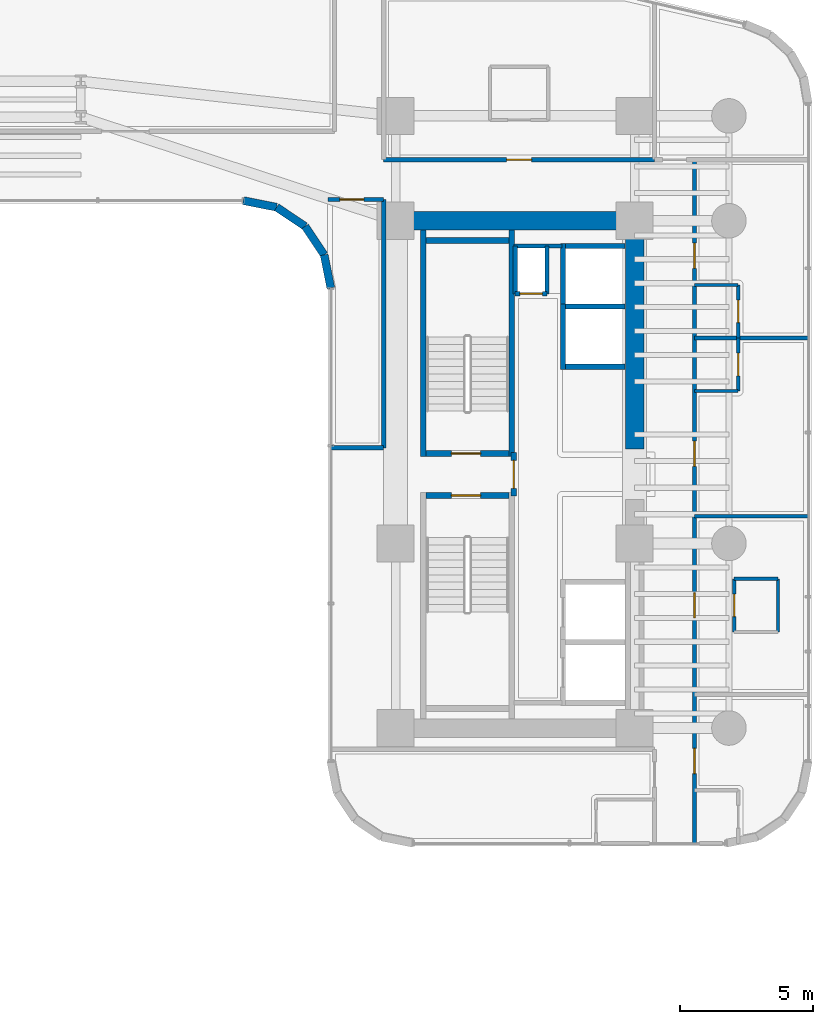
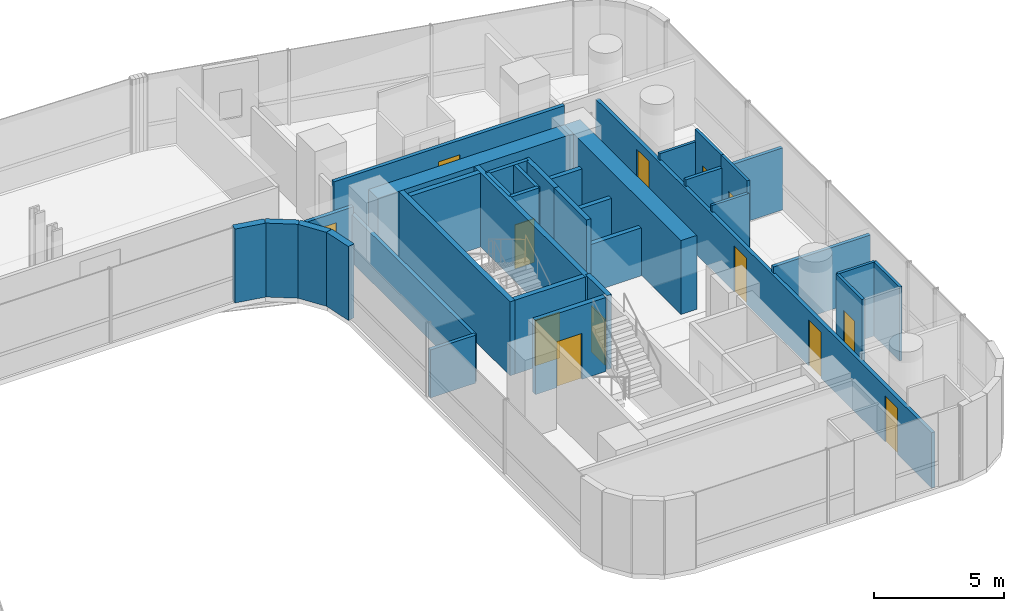
# One storey, part 33 of 41: 35 walls, 13 doors, 13 openings.
"""IFC4 building model written with IfcOpenShell, lengths in metres."""

from ifc_helpers import new_model, si_unit, direction, frame, frame_2d, origin, place, context, subcontext, project, spatial, rectangle, extrude, material, layer, layer_set, type_object, element, fill, save


model = new_model("IFC4")

# Units and contexts
model_context = context("Model", 3, precision=1e-05, world=origin(), true_north=direction((0.0, 1.0)))
body_context = subcontext(model_context, "Body", "Model", "MODEL_VIEW")
ifc_project = project(units=[si_unit("LENGTHUNIT", "METRE"), si_unit("AREAUNIT", "SQUARE_METRE"), si_unit("VOLUMEUNIT", "CUBIC_METRE"), si_unit("PLANEANGLEUNIT", "RADIAN"), si_unit("MASSUNIT", "GRAM", prefix="KILO")], contexts=[model_context])

# Site, building, storey
site_placement = place(None, origin())
site = spatial("IfcSite", under=ifc_project, at=site_placement, CompositionType="ELEMENT")
building_placement = place(site_placement, origin())
building = spatial("IfcBuilding", under=site, at=building_placement, Name="Valdorenza Pilgrim Sanctuary Tower", CompositionType="ELEMENT")
storey_placement = place(building_placement, frame((0.0, 0.0, 63.0)))
storey = spatial("IfcBuildingStorey", under=building, at=storey_placement, Name="L15", CompositionType="ELEMENT", Elevation=63.0)

# Wall, opening, door
ifc_material_1 = material(Name="Acoustic twin-stud gypsum partition", Category="gypsum")
ifc_layer_1 = layer(ifc_material_1, 0.159912109375, Name="Acoustic twin-stud gypsum partition")
ifc_layer_set_1 = layer_set([ifc_layer_1], Name="Acoustic twin-stud gypsum partition")
wall_type_1 = type_object("IfcWallType", Name="WAL-COR-160", PredefinedType="PARTITIONING", material=ifc_layer_set_1)
wall_1_placement = place(storey_placement, frame((20.35009765625, 6.800048828125, 0.0), z_axis=(0.0, 0.0, 1.0), x_axis=(1.0, 0.0, 0.0)))
wall_1 = element("IfcWall", 1, at=wall_1_placement, inside=storey, type_object=wall_type_1, Name="L15 Core B Riser South Wall", PredefinedType="PARTITIONING", context=body_context, shape_type="SweptSolid", body=[
    extrude(rectangle(XDim=1.199951171875, YDim=0.159912109375, at=frame_2d((0.60009765625, 0.0))), origin(), (0.0, 0.0, 1.0), 3.4599609375),
])
opening_1_placement = place(wall_1_placement, frame((0.175048828125, 0.0, 0.0)))
opening_1 = element("IfcOpeningElement", 2, at=opening_1_placement, cuts=wall_1, Name="Opening DR-RS1", PredefinedType="OPENING", context=body_context, shape_type="SweptSolid", body=[
    extrude(rectangle(XDim=0.85009765625, YDim=2.050048828125, at=frame_2d((0.425048828125, 1.02490234375))), frame((0.0, 0.0947265625, 0.0), z_axis=(0.0, -1.0, 0.0), x_axis=(1.0, 0.0, 0.0)), (0.0, 0.0, 1.0), 0.189697265625),
])
ifc_material_2 = material(Name="Painted galvanized steel", Category="steel")
door_type_1 = type_object("IfcDoorType", Name="DR-RSR-850", OperationType="NOTDEFINED", PredefinedType="DOOR", material=ifc_material_2)
door_1_placement = place(opening_1_placement, origin())
door_1 = element("IfcDoor", 3, at=door_1_placement, inside=storey, type_object=door_type_1, Name="L15 Core B Electrical Riser Door", OperationType="SINGLE_SWING_RIGHT", OverallHeight=2.050048828125, OverallWidth=0.85009765625, PredefinedType="DOOR", context=body_context, shape_type="SweptSolid", body=[
    extrude(rectangle(XDim=0.85009765625, YDim=2.050048828125, at=frame_2d((0.425048828125, 1.02490234375))), frame((0.0, 0.02490234375, 0.0), z_axis=(0.0, -1.0, 0.0), x_axis=(1.0, 0.0, 0.0)), (0.0, 0.0, 1.0), 0.050048828125),
])
fill(opening_1, door_1)

# Walls
for number, where, z_axis, x_axis, name in (
    (4, (21.550048828125, 6.800048828125, 0.0), (0.0, 0.0, 1.0), (0.0, 1.0, 0.0), "L15 Core B Riser East Wall"),
    (5, (20.35009765625, 6.800048828125, 0.0), (0.0, 0.0, 1.0), (0.0, 1.0, 0.0), "L15 Core B Riser West Wall"),
):
    element("IfcWall", number, at=place(storey_placement, frame(where, z_axis=z_axis, x_axis=x_axis)), inside=storey, type_object=wall_type_1, Name=name, PredefinedType="PARTITIONING", context=body_context, shape_type="SweptSolid", body=[
        extrude(rectangle(XDim=1.800048828125, YDim=0.159912109375, at=frame_2d((0.89990234375, 0.0))), origin(), (0.0, 0.0, 1.0), 3.4599609375),
    ])
wall_2_placement = place(storey_placement, frame((20.300048828125, 8.60009765625, 0.0), z_axis=(0.0, 0.0, 1.0), x_axis=(1.0, 0.0, 0.0)))
element("IfcWall", 6, at=wall_2_placement, inside=storey, type_object=wall_type_1, Name="L15 Core B Lift Hall North End Wall", PredefinedType="PARTITIONING", context=body_context, shape_type="SweptSolid", body=[
    extrude(rectangle(XDim=1.820068359375, YDim=0.159912109375, at=frame_2d((0.91015625, 0.0))), origin(), (0.0, 0.0, 1.0), 3.4599609375),
])

# Wall, opening, door
wall_3_placement = place(storey_placement, frame((15.39990234375, 11.85009765625, 0.0), z_axis=(0.0, 0.0, 1.0), x_axis=(1.0, 0.0, 0.0)))
wall_3 = element("IfcWall", 7, at=wall_3_placement, inside=storey, type_object=wall_type_1, Name="L15 Wing B North Corridor Wall", PredefinedType="PARTITIONING", context=body_context, shape_type="SweptSolid", body=[
    extrude(rectangle(XDim=10.2001953125, YDim=0.159912109375, at=frame_2d((5.10009765625, 0.0))), origin(), (0.0, 0.0, 1.0), 2.833984375),
])
opening_2_placement = place(wall_3_placement, frame((4.625, 0.0, 0.0)))
opening_2 = element("IfcOpeningElement", 8, at=opening_2_placement, cuts=wall_3, Name="Opening DR-UN1", PredefinedType="OPENING", context=body_context, shape_type="SweptSolid", body=[
    extrude(rectangle(XDim=0.949951171875, YDim=2.14990234375, at=frame_2d((0.47509765625, 1.074951171875))), frame((0.0, 0.0947265625, 0.0), z_axis=(0.0, -1.0, 0.0), x_axis=(1.0, 0.0, 0.0)), (0.0, 0.0, 1.0), 0.189697265625),
])
ifc_material_3 = material(Name="Solid-core European oak timber", Category="wood")
door_type_2 = type_object("IfcDoorType", Name="DR-UNIT-950", OperationType="NOTDEFINED", PredefinedType="DOOR", material=ifc_material_3)
door_2_placement = place(opening_2_placement, frame((0.949951171875, 0.0, 0.0), z_axis=(0.0, 0.0, 1.0), x_axis=(-1.0, 0.0, 0.0)))
door_2 = element("IfcDoor", 9, at=door_2_placement, inside=storey, type_object=door_type_2, Name="L15 East North Guest Room L15-EN1 Entrance Door", OperationType="SINGLE_SWING_LEFT", OverallHeight=2.14990234375, OverallWidth=0.949951171875, PredefinedType="DOOR", context=body_context, shape_type="SweptSolid", body=[
    extrude(rectangle(XDim=0.949951171875, YDim=2.14990234375, at=frame_2d((0.47509765625, 1.074951171875))), frame((0.0, 0.02490234375, 0.0), z_axis=(0.0, -1.0, 0.0), x_axis=(1.0, 0.0, 0.0)), (0.0, 0.0, 1.0), 0.050048828125),
])
fill(opening_2, door_2)

# Wall, openings, doors
wall_4_placement = place(storey_placement, frame((27.10009765625, -13.889892578125, 0.0), z_axis=(0.0, 0.0, 1.0), x_axis=(0.0, 1.0, 0.0)))
wall_4 = element("IfcWall", 10, at=wall_4_placement, inside=storey, type_object=wall_type_1, Name="L15 Wing B East Corridor Wall", PredefinedType="PARTITIONING", context=body_context, shape_type="SweptSolid", body=[
    extrude(rectangle(XDim=25.739990234375, YDim=0.159912109375, at=frame_2d((12.8701171875, 0.0))), origin(), (0.0, 0.0, 1.0), 2.5830078125),
])
opening_3_placement = place(wall_4_placement, frame((2.6201171875, 0.0, 0.0)))
opening_3 = element("IfcOpeningElement", 11, at=opening_3_placement, cuts=wall_4, Name="Opening DR-UN1", PredefinedType="OPENING", context=body_context, shape_type="SweptSolid", body=[
    extrude(rectangle(XDim=0.949951171875, YDim=2.14990234375, at=frame_2d((0.47509765625, 1.074951171875))), frame((0.0, 0.0947265625, 0.0), z_axis=(0.0, -1.0, 0.0), x_axis=(1.0, 0.0, 0.0)), (0.0, 0.0, 1.0), 0.189697265625),
])
opening_4_placement = place(wall_4_placement, frame((8.48388671875, 0.0, 0.0)))
opening_4 = element("IfcOpeningElement", 12, at=opening_4_placement, cuts=wall_4, Name="Opening DR-UN1", PredefinedType="OPENING", context=body_context, shape_type="SweptSolid", body=[
    extrude(rectangle(XDim=0.949951171875, YDim=2.14990234375, at=frame_2d((0.47509765625, 1.074951171875))), frame((0.0, 0.0947265625, 0.0), z_axis=(0.0, -1.0, 0.0), x_axis=(1.0, 0.0, 0.0)), (0.0, 0.0, 1.0), 0.189697265625),
])
opening_5_placement = place(wall_4_placement, frame((14.197021484375, 0.0, 0.0)))
opening_5 = element("IfcOpeningElement", 13, at=opening_5_placement, cuts=wall_4, Name="Opening DR-UN1", PredefinedType="OPENING", context=body_context, shape_type="SweptSolid", body=[
    extrude(rectangle(XDim=0.949951171875, YDim=2.14990234375, at=frame_2d((0.47509765625, 1.074951171875))), frame((0.0, 0.0947265625, 0.0), z_axis=(0.0, -1.0, 0.0), x_axis=(1.0, 0.0, 0.0)), (0.0, 0.0, 1.0), 0.189697265625),
])
opening_6_placement = place(wall_4_placement, frame((21.64794921875, 0.0, 0.0)))
opening_6 = element("IfcOpeningElement", 14, at=opening_6_placement, cuts=wall_4, Name="Opening DR-UN1", PredefinedType="OPENING", context=body_context, shape_type="SweptSolid", body=[
    extrude(rectangle(XDim=0.949951171875, YDim=2.14990234375, at=frame_2d((0.47509765625, 1.074951171875))), frame((0.0, 0.0947265625, 0.0), z_axis=(0.0, -1.0, 0.0), x_axis=(1.0, 0.0, 0.0)), (0.0, 0.0, 1.0), 0.189697265625),
])
door_3_placement = place(opening_3_placement, origin())
door_3 = element("IfcDoor", 15, at=door_3_placement, inside=storey, type_object=door_type_2, Name="L15 East Sanctuary Guest Room L15-EG1 Entrance Door", OperationType="SINGLE_SWING_RIGHT", OverallHeight=2.14990234375, OverallWidth=0.949951171875, PredefinedType="DOOR", context=body_context, shape_type="SweptSolid", body=[
    extrude(rectangle(XDim=0.949951171875, YDim=2.14990234375, at=frame_2d((0.47509765625, 1.074951171875))), frame((0.0, 0.02490234375, 0.0), z_axis=(0.0, -1.0, 0.0), x_axis=(1.0, 0.0, 0.0)), (0.0, 0.0, 1.0), 0.050048828125),
])
fill(opening_3, door_3)
door_4_placement = place(opening_4_placement, origin())
door_4 = element("IfcDoor", 16, at=door_4_placement, inside=storey, type_object=door_type_2, Name="L15 East Sanctuary Guest Room L15-EG2 Entrance Door", OperationType="SINGLE_SWING_RIGHT", OverallHeight=2.14990234375, OverallWidth=0.949951171875, PredefinedType="DOOR", context=body_context, shape_type="SweptSolid", body=[
    extrude(rectangle(XDim=0.949951171875, YDim=2.14990234375, at=frame_2d((0.47509765625, 1.074951171875))), frame((0.0, 0.02490234375, 0.0), z_axis=(0.0, -1.0, 0.0), x_axis=(1.0, 0.0, 0.0)), (0.0, 0.0, 1.0), 0.050048828125),
])
fill(opening_4, door_4)
door_5_placement = place(opening_5_placement, origin())
door_5 = element("IfcDoor", 17, at=door_5_placement, inside=storey, type_object=door_type_2, Name="L15 East Sanctuary Guest Room L15-EG3 Entrance Door", OperationType="SINGLE_SWING_RIGHT", OverallHeight=2.14990234375, OverallWidth=0.949951171875, PredefinedType="DOOR", context=body_context, shape_type="SweptSolid", body=[
    extrude(rectangle(XDim=0.949951171875, YDim=2.14990234375, at=frame_2d((0.47509765625, 1.074951171875))), frame((0.0, 0.02490234375, 0.0), z_axis=(0.0, -1.0, 0.0), x_axis=(1.0, 0.0, 0.0)), (0.0, 0.0, 1.0), 0.050048828125),
])
fill(opening_5, door_5)
door_6_placement = place(opening_6_placement, origin())
door_6 = element("IfcDoor", 18, at=door_6_placement, inside=storey, type_object=door_type_2, Name="L15 East Sanctuary Guest Room L15-EG4 Entrance Door", OperationType="SINGLE_SWING_RIGHT", OverallHeight=2.14990234375, OverallWidth=0.949951171875, PredefinedType="DOOR", context=body_context, shape_type="SweptSolid", body=[
    extrude(rectangle(XDim=0.949951171875, YDim=2.14990234375, at=frame_2d((0.47509765625, 1.074951171875))), frame((0.0, 0.02490234375, 0.0), z_axis=(0.0, -1.0, 0.0), x_axis=(1.0, 0.0, 0.0)), (0.0, 0.0, 1.0), 0.050048828125),
])
fill(opening_6, door_6)

# Wall, opening, door
wall_5_placement = place(storey_placement, frame((13.300048828125, 10.35009765625, 0.0), z_axis=(0.0, 0.0, 1.0), x_axis=(1.0, 0.0, 0.0)))
wall_5 = element("IfcWall", 19, at=wall_5_placement, inside=storey, type_object=wall_type_1, Name="L15 Courtyard Overlook North Wall", PredefinedType="PARTITIONING", context=body_context, shape_type="SweptSolid", body=[
    extrude(rectangle(XDim=2.099853515625, YDim=0.159912109375, at=frame_2d((1.0498046875, 0.0))), origin(), (0.0, 0.0, 1.0), 2.5830078125),
])
opening_7_placement = place(wall_5_placement, frame((0.449951171875, 0.0, 0.0)))
opening_7 = element("IfcOpeningElement", 20, at=opening_7_placement, cuts=wall_5, Name="Opening DR-RM1", PredefinedType="OPENING", context=body_context, shape_type="SweptSolid", body=[
    extrude(rectangle(XDim=0.89990234375, YDim=2.10009765625, at=frame_2d((0.449951171875, 1.050048828125))), frame((0.0, 0.0947265625, 0.0), z_axis=(0.0, -1.0, 0.0), x_axis=(1.0, 0.0, 0.0)), (0.0, 0.0, 1.0), 0.189697265625),
])
door_type_3 = type_object("IfcDoorType", Name="DR-ROOM-900", OperationType="NOTDEFINED", PredefinedType="DOOR", material=ifc_material_3)
door_7_placement = place(opening_7_placement, origin())
door_7 = element("IfcDoor", 21, at=door_7_placement, inside=storey, type_object=door_type_3, Name="L15 Courtyard Overlook Salon Door", OperationType="SINGLE_SWING_RIGHT", OverallHeight=2.10009765625, OverallWidth=0.89990234375, PredefinedType="DOOR", context=body_context, shape_type="SweptSolid", body=[
    extrude(rectangle(XDim=0.89990234375, YDim=2.10009765625, at=frame_2d((0.449951171875, 1.050048828125))), frame((0.0, 0.02490234375, 0.0), z_axis=(0.0, -1.0, 0.0), x_axis=(1.0, 0.0, 0.0)), (0.0, 0.0, 1.0), 0.050048828125),
])
fill(opening_7, door_7)

# Walls
wall_6_placement = place(storey_placement, frame((15.39990234375, 1.0, 0.0), z_axis=(0.0, 0.0, 1.0), x_axis=(0.0, 1.0, 0.0)))
element("IfcWall", 22, at=wall_6_placement, inside=storey, type_object=wall_type_1, Name="L15 Courtyard Overlook East Wall", PredefinedType="PARTITIONING", context=body_context, shape_type="SweptSolid", body=[
    extrude(rectangle(XDim=9.35009765625, YDim=0.159912109375, at=frame_2d((4.675048828125, 0.0))), origin(), (0.0, 0.0, 1.0), 2.2451171875),
])
wall_7_placement = place(storey_placement, frame((13.409912109375, 1.0, 0.0), z_axis=(0.0, 0.0, 1.0), x_axis=(1.0, 0.0, 0.0)))
element("IfcWall", 23, at=wall_7_placement, inside=storey, type_object=wall_type_1, Name="L15 Courtyard Overlook South Wall", PredefinedType="PARTITIONING", context=body_context, shape_type="SweptSolid", body=[
    extrude(rectangle(XDim=1.989990234375, YDim=0.159912109375, at=frame_2d((0.9951171875, 0.0))), origin(), (0.0, 0.0, 1.0), 2.2451171875),
])
ifc_material_4 = material(Name="Concrete C60/75", Category="concrete")
ifc_layer_2 = layer(ifc_material_4, 0.699951171875, Name="Concrete C60/75")
ifc_layer_set_2 = layer_set([ifc_layer_2], Name="Concrete C60/75")
wall_type_2 = type_object("IfcWallType", Name="WAL-COR-700", PredefinedType="SHEAR", material=ifc_layer_set_2)
wall_8_placement = place(storey_placement, frame((24.85009765625, 0.949951171875, 0.0), z_axis=(0.0, 0.0, 1.0), x_axis=(0.0, 1.0, 0.0)))
element("IfcWall", 24, at=wall_8_placement, inside=storey, type_object=wall_type_2, Name="L15 Split Core B Shear Wall EN", PredefinedType="SHEAR", context=body_context, shape_type="SweptSolid", body=[
    extrude(rectangle(XDim=8.949951171875, YDim=0.699951171875, at=frame_2d((4.47509765625, 0.0))), origin(), (0.0, 0.0, 1.0), 3.4599609375),
])
wall_9_placement = place(storey_placement, frame((15.85009765625, 9.550048828125, 0.0), z_axis=(0.0, 0.0, 1.0), x_axis=(1.0, 0.0, 0.0)))
element("IfcWall", 25, at=wall_9_placement, inside=storey, type_object=wall_type_2, Name="L15 Split Core B Shear Wall N", PredefinedType="SHEAR", context=body_context, shape_type="SweptSolid", body=[
    extrude(rectangle(XDim=9.0, YDim=0.699951171875, at=frame_2d((4.5, 0.0))), origin(), (0.0, 0.0, 1.0), 3.4599609375),
])
ifc_material_5 = material(Name="Honed travertine limestone", Category="masonry")
ifc_layer_3 = layer(ifc_material_5, 0.300048828125, Name="Honed travertine limestone")
ifc_layer_set_3 = layer_set([ifc_layer_3], Name="Honed travertine limestone")
wall_type_3 = type_object("IfcWallType", Name="WAL-EXT-300", PredefinedType="SOLIDWALL", material=ifc_layer_set_3)
wall_10_placement = place(storey_placement, frame((13.409912109375, 7.0107421875, 0.0), z_axis=(0.0, 0.0, 1.0), x_axis=(-0.195090163074, 0.980785312019, 0.0)))
element("IfcWall", 26, at=wall_10_placement, inside=storey, type_object=wall_type_3, Name="L15 Rounded Wind-Corner Stone Pier 32", PredefinedType="SOLIDWALL", context=body_context, shape_type="SweptSolid", body=[
    extrude(rectangle(XDim=1.281494140625, YDim=0.300048828125, at=frame_2d((0.640625, 0.0))), origin(), (0.0, 0.0, 1.0), 3.4599609375),
])
for number, where, z_axis, x_axis, name in (
    (27, (13.159912109375, 8.267578125, 0.0), (0.0, 0.0, 1.0), (-0.555615398575, 0.831439431869, 0.0), "L15 Rounded Wind-Corner Stone Pier 33"),
    (28, (12.44189453125, 9.342041015625, 0.0), (0.0, 0.0, 1.0), (-0.831439431869, 0.555615398575, 0.0), "L15 Rounded Wind-Corner Stone Pier 34"),
):
    element("IfcWall", number, at=place(storey_placement, frame(where, z_axis=z_axis, x_axis=x_axis)), inside=storey, type_object=wall_type_3, Name=name, PredefinedType="SOLIDWALL", context=body_context, shape_type="SweptSolid", body=[
        extrude(rectangle(XDim=1.292236328125, YDim=0.300048828125, at=frame_2d((0.64599609375, 0.0))), origin(), (0.0, 0.0, 1.0), 3.4599609375),
    ])
wall_11_placement = place(storey_placement, frame((11.367431640625, 10.06005859375, 0.0), z_axis=(0.0, 0.0, 1.0), x_axis=(-0.980778058848, 0.195126623715, 0.0)))
element("IfcWall", 29, at=wall_11_placement, inside=storey, type_object=wall_type_3, Name="L15 Rounded Wind-Corner Stone Pier 35", PredefinedType="SOLIDWALL", context=body_context, shape_type="SweptSolid", body=[
    extrude(rectangle(XDim=1.28125, YDim=0.300048828125, at=frame_2d((0.640625, 0.0))), origin(), (0.0, 0.0, 1.0), 3.4599609375),
])

# Wall, opening, door
ifc_material_6 = material(Name="Gypsum shaftwall partition", Category="gypsum")
ifc_layer_4 = layer(ifc_material_6, 0.199951171875, Name="Gypsum shaftwall partition")
ifc_layer_set_4 = layer_set([ifc_layer_4], Name="Gypsum shaftwall partition")
wall_type_4 = type_object("IfcWallType", Name="WAL-FFL-200", PredefinedType="PARTITIONING", material=ifc_layer_set_4)
wall_12_placement = place(storey_placement, frame((20.300048828125, -0.820068359375, 0.0), z_axis=(0.0, 0.0, 1.0), x_axis=(0.0, 1.0, 0.0)))
wall_12 = element("IfcWall", 30, at=wall_12_placement, inside=storey, type_object=wall_type_4, Name="L15 Core B Firefighting Lobby East Wall", PredefinedType="PARTITIONING", context=body_context, shape_type="SweptSolid", body=[
    extrude(rectangle(XDim=1.64013671875, YDim=0.199951171875, at=frame_2d((0.820068359375, 0.0))), origin(), (0.0, 0.0, 1.0), 3.4599609375),
])
opening_8_placement = place(wall_12_placement, frame((0.294921875, 0.0, 0.0)))
opening_8 = element("IfcOpeningElement", 31, at=opening_8_placement, cuts=wall_12, Name="Opening DR-FL1", PredefinedType="OPENING", context=body_context, shape_type="SweptSolid", body=[
    extrude(rectangle(XDim=1.050048828125, YDim=2.14990234375, at=frame_2d((0.52490234375, 1.074951171875))), frame((0.0, 0.11474609375, 0.0), z_axis=(0.0, -1.0, 0.0), x_axis=(1.0, 0.0, 0.0)), (0.0, 0.0, 1.0), 0.229736328125),
])
door_type_4 = type_object("IfcDoorType", Name="DR-FFL-1050", OperationType="NOTDEFINED", PredefinedType="DOOR", material=ifc_material_2)
door_8_placement = place(opening_8_placement, frame((1.050048828125, 0.0, 0.0), z_axis=(0.0, 0.0, 1.0), x_axis=(-1.0, 0.0, 0.0)))
door_8 = element("IfcDoor", 32, at=door_8_placement, inside=storey, type_object=door_type_4, Name="L15 Core B Firefighting Lobby Door", OperationType="SINGLE_SWING_LEFT", OverallHeight=2.14990234375, OverallWidth=1.050048828125, PredefinedType="DOOR", context=body_context, shape_type="SweptSolid", body=[
    extrude(rectangle(XDim=1.050048828125, YDim=2.14990234375, at=frame_2d((0.52490234375, 1.074951171875))), frame((0.0, 0.02490234375, 0.0), z_axis=(0.0, -1.0, 0.0), x_axis=(1.0, 0.0, 0.0)), (0.0, 0.0, 1.0), 0.050048828125),
])
fill(opening_8, door_8)

# Walls
ifc_material_7 = material(Name="Moisture-resistant gypsum partition", Category="gypsum")
ifc_layer_5 = layer(ifc_material_7, 0.1201171875, Name="Moisture-resistant gypsum partition")
ifc_layer_set_5 = layer_set([ifc_layer_5], Name="Moisture-resistant gypsum partition")
wall_type_5 = type_object("IfcWallType", Name="WAL-INT-120", PredefinedType="PARTITIONING", material=ifc_layer_set_5)
wall_13_placement = place(storey_placement, frame((28.60009765625, -3.930908203125, 0.0), z_axis=(0.0, 0.0, 1.0), x_axis=(1.0, 0.0, 0.0)))
element("IfcWall", 33, at=wall_13_placement, inside=storey, type_object=wall_type_5, Name="L15 East Sanctuary Guest Room L15-EG2 En-suite North Wall", PredefinedType="PARTITIONING", context=body_context, shape_type="SweptSolid", body=[
    extrude(rectangle(XDim=1.64990234375, YDim=0.1201171875, at=frame_2d((0.824951171875, 0.0))), origin(), (0.0, 0.0, 1.0), 3.4599609375),
])
wall_14_placement = place(storey_placement, frame((30.25, -5.930908203125, 0.0), z_axis=(0.0, 0.0, 1.0), x_axis=(0.0, 1.0, 0.0)))
element("IfcWall", 34, at=wall_14_placement, inside=storey, type_object=wall_type_5, Name="L15 East Sanctuary Guest Room L15-EG2 En-suite Back Wall", PredefinedType="PARTITIONING", context=body_context, shape_type="SweptSolid", body=[
    extrude(rectangle(XDim=2.0, YDim=0.1201171875, at=frame_2d((1.0, 0.0))), origin(), (0.0, 0.0, 1.0), 3.4599609375),
])

# Wall, opening, door
wall_15_placement = place(storey_placement, frame((28.60009765625, -5.930908203125, 0.0), z_axis=(0.0, 0.0, 1.0), x_axis=(0.0, 1.0, 0.0)))
wall_15 = element("IfcWall", 35, at=wall_15_placement, inside=storey, type_object=wall_type_5, Name="L15 East Sanctuary Guest Room L15-EG2 En-suite Door Wall", PredefinedType="PARTITIONING", context=body_context, shape_type="SweptSolid", body=[
    extrude(rectangle(XDim=2.0, YDim=0.1201171875, at=frame_2d((1.0, 0.0))), origin(), (0.0, 0.0, 1.0), 3.4599609375),
])
opening_9_placement = place(wall_15_placement, frame((0.574951171875, 0.0, 0.0)))
opening_9 = element("IfcOpeningElement", 36, at=opening_9_placement, cuts=wall_15, Name="Opening DR-WC1", PredefinedType="OPENING", context=body_context, shape_type="SweptSolid", body=[
    extrude(rectangle(XDim=0.85009765625, YDim=2.10009765625, at=frame_2d((0.425048828125, 1.050048828125))), frame((0.0, 0.074951171875, 0.0), z_axis=(0.0, -1.0, 0.0), x_axis=(1.0, 0.0, 0.0)), (0.0, 0.0, 1.0), 0.14990234375),
])
ifc_material_8 = material(Name="Moisture-resistant lacquered timber", Category="wood")
door_type_5 = type_object("IfcDoorType", Name="DR-BATH-850", OperationType="NOTDEFINED", PredefinedType="DOOR", material=ifc_material_8)
door_9_placement = place(opening_9_placement, origin())
door_9 = element("IfcDoor", 37, at=door_9_placement, inside=storey, type_object=door_type_5, Name="L15 East Sanctuary Guest Room L15-EG2 En-suite Bathroom Door", OperationType="SINGLE_SWING_LEFT", OverallHeight=2.10009765625, OverallWidth=0.85009765625, PredefinedType="DOOR", context=body_context, shape_type="SweptSolid", body=[
    extrude(rectangle(XDim=0.85009765625, YDim=2.10009765625, at=frame_2d((0.425048828125, 1.050048828125))), frame((0.0, 0.02490234375, 0.0), z_axis=(0.0, -1.0, 0.0), x_axis=(1.0, 0.0, 0.0)), (0.0, 0.0, 1.0), 0.050048828125),
])
fill(opening_9, door_9)

# Wall
wall_16_placement = place(storey_placement, frame((27.10009765625, 3.137939453125, 0.0), z_axis=(0.0, 0.0, 1.0), x_axis=(1.0, 0.0, 0.0)))
element("IfcWall", 38, at=wall_16_placement, inside=storey, type_object=wall_type_5, Name="L15 East Sanctuary Guest Room L15-EG3 En-suite South Wall", PredefinedType="PARTITIONING", context=body_context, shape_type="SweptSolid", body=[
    extrude(rectangle(XDim=1.64990234375, YDim=0.1201171875, at=frame_2d((0.824951171875, 0.0))), origin(), (0.0, 0.0, 1.0), 2.89599609375),
])

# Wall, opening, door
wall_17_placement = place(storey_placement, frame((28.75, 3.137939453125, 0.0), z_axis=(0.0, 0.0, 1.0), x_axis=(0.0, 1.0, 0.0)))
wall_17 = element("IfcWall", 39, at=wall_17_placement, inside=storey, type_object=wall_type_5, Name="L15 East Sanctuary Guest Room L15-EG3 En-suite Door Wall", PredefinedType="PARTITIONING", context=body_context, shape_type="SweptSolid", body=[
    extrude(rectangle(XDim=2.0, YDim=0.1201171875, at=frame_2d((1.0, 0.0))), origin(), (0.0, 0.0, 1.0), 3.4599609375),
])
opening_10_placement = place(wall_17_placement, frame((0.574951171875, 0.0, 0.0)))
opening_10 = element("IfcOpeningElement", 40, at=opening_10_placement, cuts=wall_17, Name="Opening DR-WC1", PredefinedType="OPENING", context=body_context, shape_type="SweptSolid", body=[
    extrude(rectangle(XDim=0.85009765625, YDim=2.10009765625, at=frame_2d((0.425048828125, 1.050048828125))), frame((0.0, 0.074951171875, 0.0), z_axis=(0.0, -1.0, 0.0), x_axis=(1.0, 0.0, 0.0)), (0.0, 0.0, 1.0), 0.14990234375),
])
door_10_placement = place(opening_10_placement, origin())
door_10 = element("IfcDoor", 41, at=door_10_placement, inside=storey, type_object=door_type_5, Name="L15 East Sanctuary Guest Room L15-EG3 En-suite Bathroom Door", OperationType="SINGLE_SWING_LEFT", OverallHeight=2.10009765625, OverallWidth=0.85009765625, PredefinedType="DOOR", context=body_context, shape_type="SweptSolid", body=[
    extrude(rectangle(XDim=0.85009765625, YDim=2.10009765625, at=frame_2d((0.425048828125, 1.050048828125))), frame((0.0, 0.02490234375, 0.0), z_axis=(0.0, -1.0, 0.0), x_axis=(1.0, 0.0, 0.0)), (0.0, 0.0, 1.0), 0.050048828125),
])
fill(opening_10, door_10)

# Wall
wall_18_placement = place(storey_placement, frame((27.10009765625, 7.137939453125, 0.0), z_axis=(0.0, 0.0, 1.0), x_axis=(1.0, 0.0, 0.0)))
element("IfcWall", 42, at=wall_18_placement, inside=storey, type_object=wall_type_5, Name="L15 East Sanctuary Guest Room L15-EG4 En-suite North Wall", PredefinedType="PARTITIONING", context=body_context, shape_type="SweptSolid", body=[
    extrude(rectangle(XDim=1.64990234375, YDim=0.1201171875, at=frame_2d((0.824951171875, 0.0))), origin(), (0.0, 0.0, 1.0), 2.89599609375),
])

# Wall, opening, door
wall_19_placement = place(storey_placement, frame((28.75, 5.137939453125, 0.0), z_axis=(0.0, 0.0, 1.0), x_axis=(0.0, 1.0, 0.0)))
wall_19 = element("IfcWall", 43, at=wall_19_placement, inside=storey, type_object=wall_type_5, Name="L15 East Sanctuary Guest Room L15-EG4 En-suite Door Wall", PredefinedType="PARTITIONING", context=body_context, shape_type="SweptSolid", body=[
    extrude(rectangle(XDim=2.0, YDim=0.1201171875, at=frame_2d((1.0, 0.0))), origin(), (0.0, 0.0, 1.0), 3.4599609375),
])
opening_11_placement = place(wall_19_placement, frame((0.574951171875, 0.0, 0.0)))
opening_11 = element("IfcOpeningElement", 44, at=opening_11_placement, cuts=wall_19, Name="Opening DR-WC1", PredefinedType="OPENING", context=body_context, shape_type="SweptSolid", body=[
    extrude(rectangle(XDim=0.85009765625, YDim=2.10009765625, at=frame_2d((0.425048828125, 1.050048828125))), frame((0.0, 0.074951171875, 0.0), z_axis=(0.0, -1.0, 0.0), x_axis=(1.0, 0.0, 0.0)), (0.0, 0.0, 1.0), 0.14990234375),
])
door_11_placement = place(opening_11_placement, origin())
door_11 = element("IfcDoor", 45, at=door_11_placement, inside=storey, type_object=door_type_5, Name="L15 East Sanctuary Guest Room L15-EG4 En-suite Bathroom Door", OperationType="SINGLE_SWING_LEFT", OverallHeight=2.10009765625, OverallWidth=0.85009765625, PredefinedType="DOOR", context=body_context, shape_type="SweptSolid", body=[
    extrude(rectangle(XDim=0.85009765625, YDim=2.10009765625, at=frame_2d((0.425048828125, 1.050048828125))), frame((0.0, 0.02490234375, 0.0), z_axis=(0.0, -1.0, 0.0), x_axis=(1.0, 0.0, 0.0)), (0.0, 0.0, 1.0), 0.050048828125),
])
fill(opening_11, door_11)

# Walls
ifc_material_9 = material(Name="Autoclaved aerated concrete blockwork", Category="masonry")
ifc_layer_6 = layer(ifc_material_9, 0.199951171875, Name="Autoclaved aerated concrete blockwork")
ifc_layer_set_6 = layer_set([ifc_layer_6], Name="Autoclaved aerated concrete blockwork")
wall_type_6 = type_object("IfcWallType", Name="WAL-SHF-200", PredefinedType="MOVABLE", material=ifc_layer_set_6)
wall_20_placement = place(storey_placement, frame((22.14990234375, 3.949951171875, 0.0), z_axis=(0.0, 0.0, 1.0), x_axis=(0.0, 1.0, 0.0)))
element("IfcWall", 46, at=wall_20_placement, inside=storey, type_object=wall_type_6, Name="L15 Lift PL-07 Hoistway Wall West", PredefinedType="MOVABLE", context=body_context, shape_type="SweptSolid", body=[
    extrude(rectangle(XDim=2.47509765625, YDim=0.199951171875, at=frame_2d((1.237548828125, 0.0))), origin(), (0.0, 0.0, 1.0), 3.4599609375),
])
for number, where, z_axis, x_axis, name in (
    (47, (22.25, 4.050048828125, 0.0), (0.0, 0.0, 1.0), (1.0, 0.0, 0.0), "L15 Lift PL-07 Hoistway Wall South"),
    (48, (22.25, 6.324951171875, 0.0), (0.0, 0.0, 1.0), (1.0, 0.0, 0.0), "L15 Lift PL-07 Hoistway Wall North"),
):
    element("IfcWall", number, at=place(storey_placement, frame(where, z_axis=z_axis, x_axis=x_axis)), inside=storey, type_object=wall_type_6, Name=name, PredefinedType="MOVABLE", context=body_context, shape_type="SweptSolid", body=[
        extrude(rectangle(XDim=2.22998046875, YDim=0.199951171875, at=frame_2d((1.114990234375, 0.0))), origin(), (0.0, 0.0, 1.0), 2.2451171875),
    ])
wall_21_placement = place(storey_placement, frame((22.14990234375, 6.22509765625, 0.0), z_axis=(0.0, 0.0, 1.0), x_axis=(0.0, 1.0, 0.0)))
element("IfcWall", 49, at=wall_21_placement, inside=storey, type_object=wall_type_6, Name="L15 Lift PL-08 Hoistway Wall West", PredefinedType="MOVABLE", context=body_context, shape_type="SweptSolid", body=[
    extrude(rectangle(XDim=2.474853515625, YDim=0.199951171875, at=frame_2d((1.2373046875, 0.0))), origin(), (0.0, 0.0, 1.0), 3.4599609375),
])
wall_22_placement = place(storey_placement, frame((22.25, 8.60009765625, 0.0), z_axis=(0.0, 0.0, 1.0), x_axis=(1.0, 0.0, 0.0)))
element("IfcWall", 50, at=wall_22_placement, inside=storey, type_object=wall_type_6, Name="L15 Lift PL-08 Hoistway Wall North", PredefinedType="MOVABLE", context=body_context, shape_type="SweptSolid", body=[
    extrude(rectangle(XDim=2.22998046875, YDim=0.199951171875, at=frame_2d((1.114990234375, 0.0))), origin(), (0.0, 0.0, 1.0), 2.2451171875),
])
ifc_material_10 = material(Name="Concrete C40/50", Category="concrete")
ifc_layer_7 = layer(ifc_material_10, 0.219970703125, Name="Concrete C40/50")
ifc_layer_set_7 = layer_set([ifc_layer_7], Name="Concrete C40/50")
wall_type_7 = type_object("IfcWallType", Name="WAL-STR-SHF-220", PredefinedType="SHEAR", material=ifc_layer_set_7)
for number, where, z_axis, x_axis, name in (
    (51, (16.889892578125, 0.679931640625, 0.0), (0.0, 0.0, 1.0), (0.0, 1.0, 0.0), "L15 ST-B1 Structural Stairwell Wall W"),
    (52, (20.219970703125, 0.679931640625, 0.0), (0.0, 0.0, 1.0), (0.0, 1.0, 0.0), "L15 ST-B1 Structural Stairwell Wall E"),
):
    element("IfcWall", number, at=place(storey_placement, frame(where, z_axis=z_axis, x_axis=x_axis)), inside=storey, type_object=wall_type_7, Name=name, PredefinedType="SHEAR", context=body_context, shape_type="SweptSolid", body=[
        extrude(rectangle(XDim=8.52001953125, YDim=0.219970703125, at=frame_2d((4.260009765625, 0.0))), origin(), (0.0, 0.0, 1.0), 3.4599609375),
    ])

# Wall, opening, door
wall_23_placement = place(storey_placement, frame((17.0, 0.7900390625, 0.0), z_axis=(0.0, 0.0, 1.0), x_axis=(1.0, 0.0, 0.0)))
wall_23 = element("IfcWall", 53, at=wall_23_placement, inside=storey, type_object=wall_type_7, Name="L15 ST-B1 Structural Stairwell Wall S", PredefinedType="SHEAR", context=body_context, shape_type="SweptSolid", body=[
    extrude(rectangle(XDim=3.110107421875, YDim=0.219970703125, at=frame_2d((1.55517578125, 0.0))), origin(), (0.0, 0.0, 1.0), 3.4599609375),
])
opening_12_placement = place(wall_23_placement, frame((0.949951171875, 0.0, 0.0)))
opening_12 = element("IfcOpeningElement", 54, at=opening_12_placement, cuts=wall_23, Name="Opening DR-ST1", PredefinedType="OPENING", context=body_context, shape_type="SweptSolid", body=[
    extrude(rectangle(XDim=1.10009765625, YDim=2.14990234375, at=frame_2d((0.550048828125, 1.074951171875))), frame((0.0, 0.125, 0.0), z_axis=(0.0, -1.0, 0.0), x_axis=(1.0, 0.0, 0.0)), (0.0, 0.0, 1.0), 0.249755859375),
])
door_type_6 = type_object("IfcDoorType", Name="DR-STAIR-1100", OperationType="NOTDEFINED", PredefinedType="DOOR", material=ifc_material_2)
door_12_placement = place(opening_12_placement, origin())
door_12 = element("IfcDoor", 55, at=door_12_placement, inside=storey, type_object=door_type_6, Name="L15 Exit Stair ST-B1 Door", OperationType="SINGLE_SWING_RIGHT", OverallHeight=2.14990234375, OverallWidth=1.10009765625, PredefinedType="DOOR", context=body_context, shape_type="SweptSolid", body=[
    extrude(rectangle(XDim=1.10009765625, YDim=2.14990234375, at=frame_2d((0.550048828125, 1.074951171875))), frame((0.0, 0.02490234375, 0.0), z_axis=(0.0, -1.0, 0.0), x_axis=(1.0, 0.0, 0.0)), (0.0, 0.0, 1.0), 0.050048828125),
])
fill(opening_12, door_12)

# Wall
wall_24_placement = place(storey_placement, frame((17.0, 8.81005859375, 0.0), z_axis=(0.0, 0.0, 1.0), x_axis=(1.0, 0.0, 0.0)))
element("IfcWall", 56, at=wall_24_placement, inside=storey, type_object=wall_type_7, Name="L15 ST-B1 Structural Stairwell Wall N", PredefinedType="SHEAR", context=body_context, shape_type="SweptSolid", body=[
    extrude(rectangle(XDim=3.110107421875, YDim=0.219970703125, at=frame_2d((1.55517578125, 0.0))), origin(), (0.0, 0.0, 1.0), 3.4599609375),
])

# Wall, opening, door
wall_25_placement = place(storey_placement, frame((17.0, -0.7900390625, 0.0), z_axis=(0.0, 0.0, 1.0), x_axis=(1.0, 0.0, 0.0)))
wall_25 = element("IfcWall", 57, at=wall_25_placement, inside=storey, type_object=wall_type_7, Name="L15 ST-B2 Structural Stairwell Wall N", PredefinedType="SHEAR", context=body_context, shape_type="SweptSolid", body=[
    extrude(rectangle(XDim=3.110107421875, YDim=0.219970703125, at=frame_2d((1.55517578125, 0.0))), origin(), (0.0, 0.0, 1.0), 3.4599609375),
])
opening_13_placement = place(wall_25_placement, frame((0.949951171875, 0.0, 0.0)))
opening_13 = element("IfcOpeningElement", 58, at=opening_13_placement, cuts=wall_25, Name="Opening DR-ST1", PredefinedType="OPENING", context=body_context, shape_type="SweptSolid", body=[
    extrude(rectangle(XDim=1.10009765625, YDim=2.14990234375, at=frame_2d((0.550048828125, 1.074951171875))), frame((0.0, 0.125, 0.0), z_axis=(0.0, -1.0, 0.0), x_axis=(1.0, 0.0, 0.0)), (0.0, 0.0, 1.0), 0.249755859375),
])
door_13_placement = place(opening_13_placement, frame((1.10009765625, 0.0, 0.0), z_axis=(0.0, 0.0, 1.0), x_axis=(-1.0, 0.0, 0.0)))
door_13 = element("IfcDoor", 59, at=door_13_placement, inside=storey, type_object=door_type_6, Name="L15 Exit Stair ST-B2 Door", OperationType="SINGLE_SWING_LEFT", OverallHeight=2.14990234375, OverallWidth=1.10009765625, PredefinedType="DOOR", context=body_context, shape_type="SweptSolid", body=[
    extrude(rectangle(XDim=1.10009765625, YDim=2.14990234375, at=frame_2d((0.550048828125, 1.074951171875))), frame((0.0, 0.02490234375, 0.0), z_axis=(0.0, -1.0, 0.0), x_axis=(1.0, 0.0, 0.0)), (0.0, 0.0, 1.0), 0.050048828125),
])
fill(opening_13, door_13)

# Walls
ifc_layer_8 = layer(ifc_material_1, 0.14990234375, Name="Acoustic twin-stud gypsum partition")
ifc_layer_set_8 = layer_set([ifc_layer_8], Name="Acoustic twin-stud gypsum partition")
wall_type_8 = type_object("IfcWallType", Name="WAL-UNT-150", PredefinedType="PARTITIONING", material=ifc_layer_set_8)
for number, where, z_axis, x_axis, name in (
    (60, (27.10009765625, -1.574951171875, 0.0), (0.0, 0.0, 1.0), (1.0, 0.0, 0.0), "L15 East Wing Guest Demising 2"),
    (61, (27.10009765625, 5.137939453125, 0.0), (0.0, 0.0, 1.0), (1.0, 0.0, 0.0), "L15 East Wing Guest Demising 3"),
):
    element("IfcWall", number, at=place(storey_placement, frame(where, z_axis=z_axis, x_axis=x_axis)), inside=storey, type_object=wall_type_8, Name=name, PredefinedType="PARTITIONING", context=body_context, shape_type="SweptSolid", body=[
        extrude(rectangle(XDim=4.289794921875, YDim=0.14990234375, at=frame_2d((2.14501953125, 0.0))), origin(), (0.0, 0.0, 1.0), 2.89599609375),
    ])

save(model, "model.ifc")
